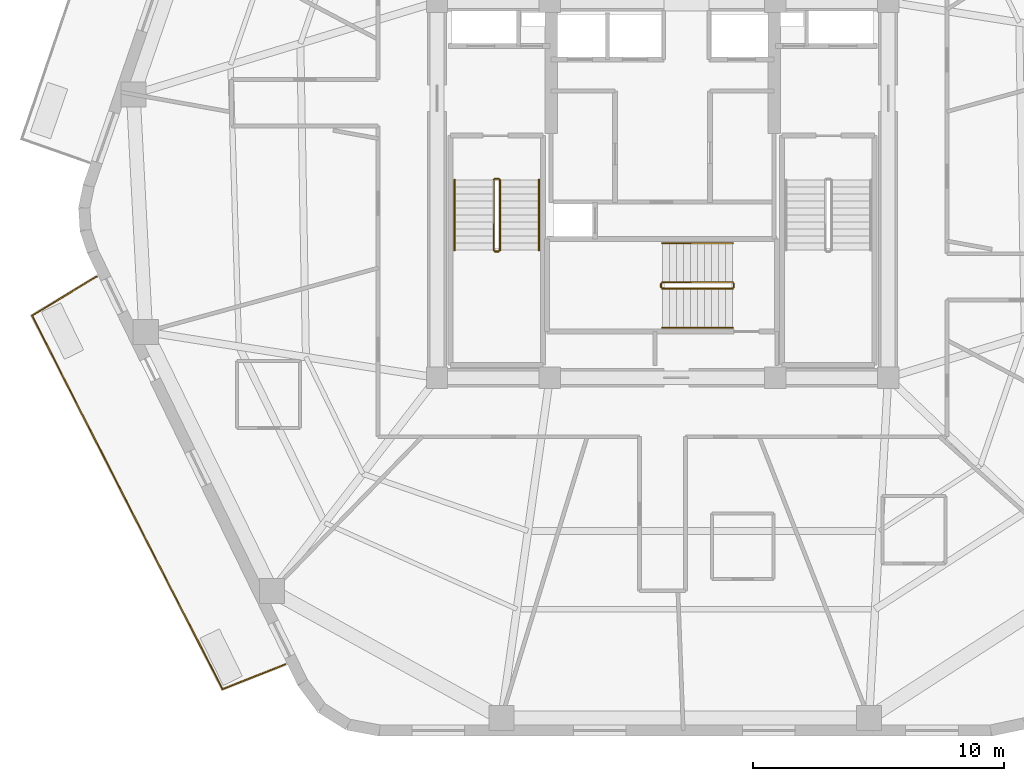
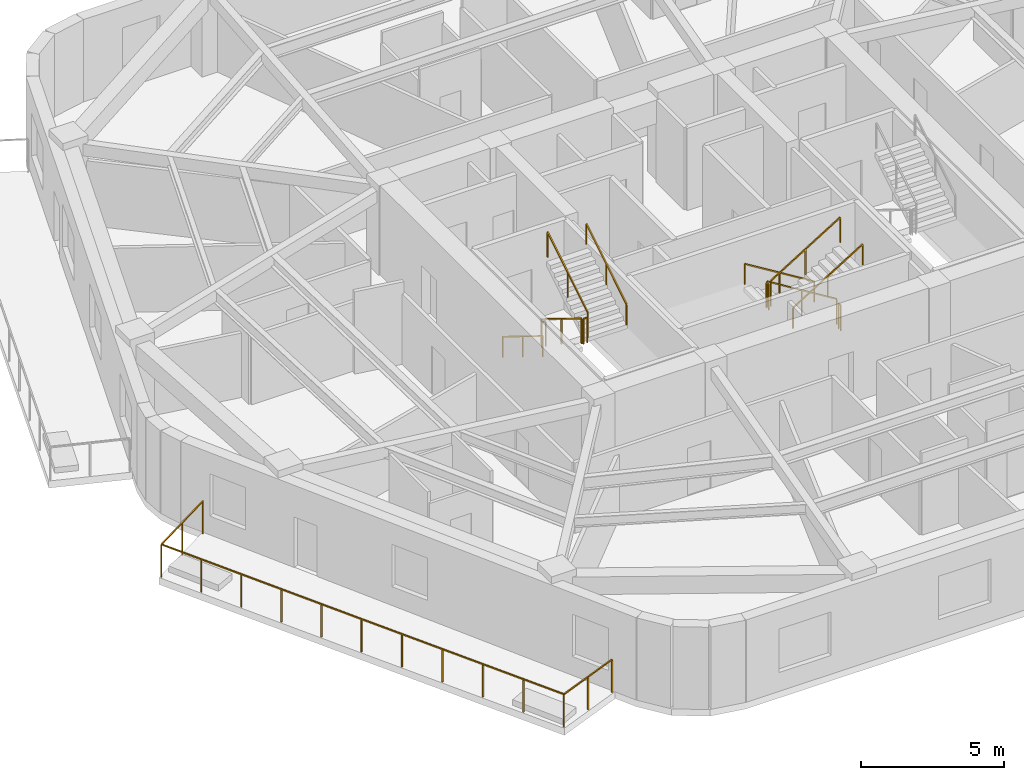
# One storey, part 7 of 9: 13 railings.
"""IFC4 building model written with IfcOpenShell, lengths in metres."""

from ifc_helpers import new_model, si_unit, direction, frame, origin, origin_2d, place, context, subcontext, project, spatial, rectangle, extrude, material, layer, layer_set, type_object, element, save


model = new_model("IFC4")

# Units and contexts
model_context = context("Model", 3, precision=1e-05, world=origin(), true_north=direction((0.0, 1.0)))
body_context = subcontext(model_context, "Body", "Model", "MODEL_VIEW")
ifc_project = project(units=[si_unit("LENGTHUNIT", "METRE"), si_unit("AREAUNIT", "SQUARE_METRE"), si_unit("VOLUMEUNIT", "CUBIC_METRE"), si_unit("PLANEANGLEUNIT", "RADIAN"), si_unit("MASSUNIT", "GRAM", prefix="KILO")], contexts=[model_context])

# Site, building, storey
site_placement = place(None, origin())
site = spatial("IfcSite", under=ifc_project, at=site_placement, CompositionType="ELEMENT")
building_placement = place(site_placement, origin())
building = spatial("IfcBuilding", under=site, at=building_placement, Name="Kilnhurst Terrace Hotel", CompositionType="ELEMENT")
storey_placement = place(building_placement, frame((0.0, 0.0, 233.10009765625)))
storey = spatial("IfcBuildingStorey", under=building, at=storey_placement, Name="L58", CompositionType="ELEMENT", Elevation=233.10009765625)

# Railings
ifc_material_1 = material(Name="Laminated SentryGlas and Stainless Steel AISI 316L Balustrade", Category="steel")
ifc_layer_1 = layer(ifc_material_1, 0.070068359375, Name="Laminated SentryGlas and Stainless Steel AISI 316L Balustrade")
ifc_layer_set_1 = layer_set([ifc_layer_1], Name="Laminated SentryGlas and Stainless Steel AISI 316L Balustrade")
railing_type_1 = type_object("IfcRailingType", Name="RLG-BAL-1420", PredefinedType="BALUSTRADE", material=ifc_layer_set_1)
railing_1_placement = place(storey_placement, frame((-15.0546875, -18.933349609375, 0.0)))
element("IfcRailing", 1, at=railing_1_placement, inside=storey, type_object=railing_type_1, Name="L58 Exterior Terrace Guardrail BAL-L2B.1", PredefinedType="BALUSTRADE", context=body_context, shape_type="SweptSolid", body=[
    extrude(rectangle(XDim=0.048095703125, YDim=0.048095703125, at=origin_2d()), frame((0.0, 0.0, 1.39599609375), z_axis=(-0.929913162101, -0.367779160574, 0.0), x_axis=(0.367779160574, -0.929913162101, 0.0)), (0.0, 0.0, 1.0), 2.694580078125),
    extrude(rectangle(XDim=0.048095703125, YDim=0.048095703125, at=origin_2d()), frame((-2.505615234375, -0.990966796875, 1.39599609375), z_axis=(-0.455129479154, 0.890425267614, 0.0), x_axis=(-0.890425267614, -0.455129479154, 0.0)), (0.0, 0.0, 1.0), 8.4072265625),
    extrude(rectangle(XDim=0.048095703125, YDim=0.048095703125, at=origin_2d()), frame((-6.33203125, 6.4951171875, 1.39599609375), z_axis=(-0.45338853952, 0.891312982196, 0.0), x_axis=(-0.891312982196, -0.45338853952, 0.0)), (0.0, 0.0, 1.0), 8.320068359375),
    extrude(rectangle(XDim=0.048095703125, YDim=0.048095703125, at=origin_2d()), frame((-10.104248046875, 13.910888671875, 1.39599609375), z_axis=(0.854990626614, 0.518643450168, 0.0), x_axis=(-0.518643450168, 0.854990626614, 0.0)), (0.0, 0.0, 1.0), 3.008056640625),
    extrude(rectangle(XDim=0.0419921875, YDim=0.0419921875, at=origin_2d()), origin(), (0.0, 0.0, 1.0), 1.371826171875),
    extrude(rectangle(XDim=0.0419921875, YDim=0.0419921875, at=origin_2d()), frame((-1.2529296875, -0.49560546875, 0.0)), (0.0, 0.0, 1.0), 1.371826171875),
    extrude(rectangle(XDim=0.0419921875, YDim=0.0419921875, at=origin_2d()), frame((-2.505615234375, -0.990966796875, 0.0)), (0.0, 0.0, 1.0), 1.371826171875),
    extrude(rectangle(XDim=0.0419921875, YDim=0.0419921875, at=origin_2d()), frame((-3.27099609375, 0.50634765625, 0.0)), (0.0, 0.0, 1.0), 1.371826171875),
    extrude(rectangle(XDim=0.0419921875, YDim=0.0419921875, at=origin_2d()), frame((-4.0361328125, 2.00341796875, 0.0)), (0.0, 0.0, 1.0), 1.371826171875),
    extrude(rectangle(XDim=0.0419921875, YDim=0.0419921875, at=origin_2d()), frame((-4.801513671875, 3.500732421875, 0.0)), (0.0, 0.0, 1.0), 1.371826171875),
    extrude(rectangle(XDim=0.0419921875, YDim=0.0419921875, at=origin_2d()), frame((-5.566650390625, 4.997802734375, 0.0)), (0.0, 0.0, 1.0), 1.371826171875),
    extrude(rectangle(XDim=0.0419921875, YDim=0.0419921875, at=origin_2d()), frame((-6.33203125, 6.4951171875, 0.0)), (0.0, 0.0, 1.0), 1.371826171875),
    extrude(rectangle(XDim=0.0419921875, YDim=0.0419921875, at=origin_2d()), frame((-7.08642578125, 7.978271484375, 0.0)), (0.0, 0.0, 1.0), 1.371826171875),
    extrude(rectangle(XDim=0.0419921875, YDim=0.0419921875, at=origin_2d()), frame((-7.8408203125, 9.46142578125, 0.0)), (0.0, 0.0, 1.0), 1.371826171875),
    extrude(rectangle(XDim=0.0419921875, YDim=0.0419921875, at=origin_2d()), frame((-8.595458984375, 10.944580078125, 0.0)), (0.0, 0.0, 1.0), 1.371826171875),
    extrude(rectangle(XDim=0.0419921875, YDim=0.0419921875, at=origin_2d()), frame((-9.349853515625, 12.427734375, 0.0)), (0.0, 0.0, 1.0), 1.371826171875),
    extrude(rectangle(XDim=0.0419921875, YDim=0.0419921875, at=origin_2d()), frame((-10.104248046875, 13.910888671875, 0.0)), (0.0, 0.0, 1.0), 1.371826171875),
    extrude(rectangle(XDim=0.0419921875, YDim=0.0419921875, at=origin_2d()), frame((-8.818359375, 14.69091796875, 0.0)), (0.0, 0.0, 1.0), 1.371826171875),
    extrude(rectangle(XDim=0.0419921875, YDim=0.0419921875, at=origin_2d()), frame((-7.532470703125, 15.470947265625, 0.0)), (0.0, 0.0, 1.0), 1.371826171875),
])
ifc_material_2 = material(Name="Powder-Coated Steel ASTM A500 Grade B", Category="steel")
ifc_layer_2 = layer(ifc_material_2, 0.050048828125, Name="Powder-Coated Steel ASTM A500 Grade B")
ifc_layer_set_2 = layer_set([ifc_layer_2], Name="Powder-Coated Steel ASTM A500 Grade B")
railing_type_2 = type_object("IfcRailingType", Name="RLG-ST-GRD-1100", PredefinedType="GUARDRAIL", material=ifc_layer_set_2)
railing_2_placement = place(storey_placement, frame((-6.739990234375, 0.389892578125, 0.172607421875)))
element("IfcRailing", 2, at=railing_2_placement, inside=storey, type_object=railing_type_2, Name="L58 ST-1 stair guard 1", PredefinedType="GUARDRAIL", context=body_context, shape_type="SweptSolid", body=[
    extrude(rectangle(XDim=0.048095703125, YDim=0.048095703125, at=origin_2d()), frame((0.0, 0.0, 1.076171875), z_axis=(0.0, -0.851069175582, 0.525053576669), x_axis=(1.0, 0.0, 0.0)), (0.0, 0.0, 1.0), 3.289794921875),
    extrude(rectangle(XDim=0.0419921875, YDim=0.0419921875, at=origin_2d()), origin(), (0.0, 0.0, 1.0), 1.052001953125),
    extrude(rectangle(XDim=0.0419921875, YDim=0.0419921875, at=origin_2d()), frame((0.0, -1.39990234375, 0.86376953125)), (0.0, 0.0, 1.0), 1.052001953125),
    extrude(rectangle(XDim=0.0419921875, YDim=0.0419921875, at=origin_2d()), frame((0.0, -2.7998046875, 1.727294921875)), (0.0, 0.0, 1.0), 1.052001953125),
])
railing_3_placement = place(storey_placement, frame((-6.68994140625, -2.4599609375, 1.89990234375)))
element("IfcRailing", 3, at=railing_3_placement, inside=storey, type_object=railing_type_2, Name="L58 ST-1 stair guard 2", PredefinedType="GUARDRAIL", context=body_context, shape_type="SweptSolid", body=[
    extrude(rectangle(XDim=0.048095703125, YDim=0.048095703125, at=origin_2d()), frame((0.0, 0.0, 1.076171875), z_axis=(1.0, 0.0, 0.0), x_axis=(0.0, 1.0, 0.0)), (0.0, 0.0, 1.0), 0.14990234375),
    extrude(rectangle(XDim=0.0419921875, YDim=0.0419921875, at=origin_2d()), origin(), (0.0, 0.0, 1.0), 1.052001953125),
    extrude(rectangle(XDim=0.0419921875, YDim=0.0419921875, at=origin_2d()), frame((0.14990234375, 0.0, 0.0)), (0.0, 0.0, 1.0), 1.052001953125),
])
railing_4_placement = place(storey_placement, frame((-6.489990234375, -2.409912109375, 2.072509765625)))
element("IfcRailing", 4, at=railing_4_placement, inside=storey, type_object=railing_type_2, Name="L58 ST-1 stair guard 3", PredefinedType="GUARDRAIL", context=body_context, shape_type="SweptSolid", body=[
    extrude(rectangle(XDim=0.048095703125, YDim=0.048095703125, at=origin_2d()), frame((0.0, 0.0, 1.076171875), z_axis=(0.0, 0.851069175582, 0.525053576669), x_axis=(-1.0, 0.0, 0.0)), (0.0, 0.0, 1.0), 3.289794921875),
    extrude(rectangle(XDim=0.0419921875, YDim=0.0419921875, at=origin_2d()), origin(), (0.0, 0.0, 1.0), 1.052001953125),
    extrude(rectangle(XDim=0.0419921875, YDim=0.0419921875, at=origin_2d()), frame((0.0, 1.39990234375, 0.86376953125)), (0.0, 0.0, 1.0), 1.052001953125),
    extrude(rectangle(XDim=0.0419921875, YDim=0.0419921875, at=origin_2d()), frame((0.0, 2.7998046875, 1.727294921875)), (0.0, 0.0, 1.0), 1.052001953125),
])
railing_5_placement = place(storey_placement, frame((-6.68994140625, 0.43994140625, 0.0)))
element("IfcRailing", 5, at=railing_5_placement, inside=storey, type_object=railing_type_2, Name="L58 ST-1 stair guard 4", PredefinedType="GUARDRAIL", context=body_context, shape_type="SweptSolid", body=[
    extrude(rectangle(XDim=0.048095703125, YDim=0.048095703125, at=origin_2d()), frame((0.0, 0.0, 1.076171875), z_axis=(1.0, 0.0, 0.0), x_axis=(0.0, 1.0, 0.0)), (0.0, 0.0, 1.0), 0.14990234375),
    extrude(rectangle(XDim=0.0419921875, YDim=0.0419921875, at=origin_2d()), origin(), (0.0, 0.0, 1.0), 1.052001953125),
    extrude(rectangle(XDim=0.0419921875, YDim=0.0419921875, at=origin_2d()), frame((0.14990234375, 0.0, 0.0)), (0.0, 0.0, 1.0), 1.052001953125),
])
railing_6_placement = place(storey_placement, frame((2.7900390625, -3.68994140625, 0.172607421875)))
element("IfcRailing", 6, at=railing_6_placement, inside=storey, type_object=railing_type_2, Name="L58 ST-3 stair guard 1", PredefinedType="GUARDRAIL", context=body_context, shape_type="SweptSolid", body=[
    extrude(rectangle(XDim=0.048095703125, YDim=0.048095703125, at=origin_2d()), frame((0.0, 0.0, 1.076171875), z_axis=(-0.851089632645, 0.0, 0.525020415988), x_axis=(0.0, -1.0, 0.0)), (0.0, 0.0, 1.0), 3.2900390625),
    extrude(rectangle(XDim=0.0419921875, YDim=0.0419921875, at=origin_2d()), origin(), (0.0, 0.0, 1.0), 1.052001953125),
    extrude(rectangle(XDim=0.0419921875, YDim=0.0419921875, at=origin_2d()), frame((-1.39990234375, 0.0, 0.86376953125)), (0.0, 0.0, 1.0), 1.052001953125),
    extrude(rectangle(XDim=0.0419921875, YDim=0.0419921875, at=origin_2d()), frame((-2.800048828125, 0.0, 1.727294921875)), (0.0, 0.0, 1.0), 1.052001953125),
])
railing_7_placement = place(storey_placement, frame((-0.06005859375, -3.739990234375, 1.89990234375)))
element("IfcRailing", 7, at=railing_7_placement, inside=storey, type_object=railing_type_2, Name="L58 ST-3 stair guard 2", PredefinedType="GUARDRAIL", context=body_context, shape_type="SweptSolid", body=[
    extrude(rectangle(XDim=0.048095703125, YDim=0.048095703125, at=origin_2d()), frame((0.0, 0.0, 1.076171875), z_axis=(0.0, -1.0, 0.0), x_axis=(1.0, 0.0, 0.0)), (0.0, 0.0, 1.0), 0.14990234375),
    extrude(rectangle(XDim=0.0419921875, YDim=0.0419921875, at=origin_2d()), origin(), (0.0, 0.0, 1.0), 1.052001953125),
    extrude(rectangle(XDim=0.0419921875, YDim=0.0419921875, at=origin_2d()), frame((0.0, -0.14990234375, 0.0)), (0.0, 0.0, 1.0), 1.052001953125),
])
railing_8_placement = place(storey_placement, frame((-0.010009765625, -3.93994140625, 2.072509765625)))
element("IfcRailing", 8, at=railing_8_placement, inside=storey, type_object=railing_type_2, Name="L58 ST-3 stair guard 3", PredefinedType="GUARDRAIL", context=body_context, shape_type="SweptSolid", body=[
    extrude(rectangle(XDim=0.048095703125, YDim=0.048095703125, at=origin_2d()), frame((0.0, 0.0, 1.076171875), z_axis=(0.851089632645, 0.0, 0.525020415988), x_axis=(0.0, 1.0, 0.0)), (0.0, 0.0, 1.0), 3.2900390625),
    extrude(rectangle(XDim=0.0419921875, YDim=0.0419921875, at=origin_2d()), origin(), (0.0, 0.0, 1.0), 1.052001953125),
    extrude(rectangle(XDim=0.0419921875, YDim=0.0419921875, at=origin_2d()), frame((1.39990234375, 0.0, 0.86376953125)), (0.0, 0.0, 1.0), 1.052001953125),
    extrude(rectangle(XDim=0.0419921875, YDim=0.0419921875, at=origin_2d()), frame((2.800048828125, 0.0, 1.727294921875)), (0.0, 0.0, 1.0), 1.052001953125),
])
railing_9_placement = place(storey_placement, frame((2.840087890625, -3.739990234375, 0.0)))
element("IfcRailing", 9, at=railing_9_placement, inside=storey, type_object=railing_type_2, Name="L58 ST-3 stair guard 4", PredefinedType="GUARDRAIL", context=body_context, shape_type="SweptSolid", body=[
    extrude(rectangle(XDim=0.048095703125, YDim=0.048095703125, at=origin_2d()), frame((0.0, 0.0, 1.076171875), z_axis=(0.0, -1.0, 0.0), x_axis=(1.0, 0.0, 0.0)), (0.0, 0.0, 1.0), 0.14990234375),
    extrude(rectangle(XDim=0.0419921875, YDim=0.0419921875, at=origin_2d()), origin(), (0.0, 0.0, 1.0), 1.052001953125),
    extrude(rectangle(XDim=0.0419921875, YDim=0.0419921875, at=origin_2d()), frame((0.0, -0.14990234375, 0.0)), (0.0, 0.0, 1.0), 1.052001953125),
])
ifc_material_3 = material(Name="Brushed Stainless Steel AISI 304", Category="steel")
ifc_layer_3 = layer(ifc_material_3, 0.048095703125, Name="Brushed Stainless Steel AISI 304")
ifc_layer_set_3 = layer_set([ifc_layer_3], Name="Brushed Stainless Steel AISI 304")
railing_type_3 = type_object("IfcRailingType", Name="RLG-ST-HRL-900", PredefinedType="HANDRAIL", material=ifc_layer_set_3)
railing_10_placement = place(storey_placement, frame((-8.300048828125, 0.389892578125, 0.172607421875)))
element("IfcRailing", 10, at=railing_10_placement, inside=storey, type_object=railing_type_3, Name="L58 ST-1 stair handrail 1", PredefinedType="HANDRAIL", context=body_context, shape_type="SweptSolid", body=[
    extrude(rectangle(XDim=0.048095703125, YDim=0.048095703125, at=origin_2d()), frame((0.0, 0.0, 0.8759765625), z_axis=(0.0, -0.851069175582, 0.525053576669), x_axis=(1.0, 0.0, 0.0)), (0.0, 0.0, 1.0), 3.289794921875),
    extrude(rectangle(XDim=0.0419921875, YDim=0.0419921875, at=origin_2d()), origin(), (0.0, 0.0, 1.0), 0.851806640625),
    extrude(rectangle(XDim=0.0419921875, YDim=0.0419921875, at=origin_2d()), frame((0.0, -1.39990234375, 0.86376953125)), (0.0, 0.0, 1.0), 0.851806640625),
    extrude(rectangle(XDim=0.0419921875, YDim=0.0419921875, at=origin_2d()), frame((0.0, -2.7998046875, 1.727294921875)), (0.0, 0.0, 1.0), 0.851806640625),
])
railing_11_placement = place(storey_placement, frame((-4.929931640625, -2.409912109375, 2.072509765625)))
element("IfcRailing", 11, at=railing_11_placement, inside=storey, type_object=railing_type_3, Name="L58 ST-1 stair handrail 2", PredefinedType="HANDRAIL", context=body_context, shape_type="SweptSolid", body=[
    extrude(rectangle(XDim=0.048095703125, YDim=0.048095703125, at=origin_2d()), frame((0.0, 0.0, 0.8759765625), z_axis=(0.0, 0.851069175582, 0.525053576669), x_axis=(-1.0, 0.0, 0.0)), (0.0, 0.0, 1.0), 3.289794921875),
    extrude(rectangle(XDim=0.0419921875, YDim=0.0419921875, at=origin_2d()), origin(), (0.0, 0.0, 1.0), 0.851806640625),
    extrude(rectangle(XDim=0.0419921875, YDim=0.0419921875, at=origin_2d()), frame((0.0, 1.39990234375, 0.86376953125)), (0.0, 0.0, 1.0), 0.851806640625),
    extrude(rectangle(XDim=0.0419921875, YDim=0.0419921875, at=origin_2d()), frame((0.0, 2.7998046875, 1.727294921875)), (0.0, 0.0, 1.0), 0.851806640625),
])
railing_12_placement = place(storey_placement, frame((2.7900390625, -2.1298828125, 0.172607421875)))
element("IfcRailing", 12, at=railing_12_placement, inside=storey, type_object=railing_type_3, Name="L58 ST-3 stair handrail 1", PredefinedType="HANDRAIL", context=body_context, shape_type="SweptSolid", body=[
    extrude(rectangle(XDim=0.048095703125, YDim=0.048095703125, at=origin_2d()), frame((0.0, 0.0, 0.8759765625), z_axis=(-0.851089632645, 0.0, 0.525020415988), x_axis=(0.0, -1.0, 0.0)), (0.0, 0.0, 1.0), 3.2900390625),
    extrude(rectangle(XDim=0.0419921875, YDim=0.0419921875, at=origin_2d()), origin(), (0.0, 0.0, 1.0), 0.851806640625),
    extrude(rectangle(XDim=0.0419921875, YDim=0.0419921875, at=origin_2d()), frame((-1.39990234375, 0.0, 0.86376953125)), (0.0, 0.0, 1.0), 0.851806640625),
    extrude(rectangle(XDim=0.0419921875, YDim=0.0419921875, at=origin_2d()), frame((-2.800048828125, 0.0, 1.727294921875)), (0.0, 0.0, 1.0), 0.851806640625),
])
railing_13_placement = place(storey_placement, frame((-0.010009765625, -5.5, 2.072509765625)))
element("IfcRailing", 13, at=railing_13_placement, inside=storey, type_object=railing_type_3, Name="L58 ST-3 stair handrail 2", PredefinedType="HANDRAIL", context=body_context, shape_type="SweptSolid", body=[
    extrude(rectangle(XDim=0.048095703125, YDim=0.048095703125, at=origin_2d()), frame((0.0, 0.0, 0.8759765625), z_axis=(0.851089632645, 0.0, 0.525020415988), x_axis=(0.0, 1.0, 0.0)), (0.0, 0.0, 1.0), 3.2900390625),
    extrude(rectangle(XDim=0.0419921875, YDim=0.0419921875, at=origin_2d()), origin(), (0.0, 0.0, 1.0), 0.851806640625),
    extrude(rectangle(XDim=0.0419921875, YDim=0.0419921875, at=origin_2d()), frame((1.39990234375, 0.0, 0.86376953125)), (0.0, 0.0, 1.0), 0.851806640625),
    extrude(rectangle(XDim=0.0419921875, YDim=0.0419921875, at=origin_2d()), frame((2.800048828125, 0.0, 1.727294921875)), (0.0, 0.0, 1.0), 0.851806640625),
])

save(model, "model.ifc")
